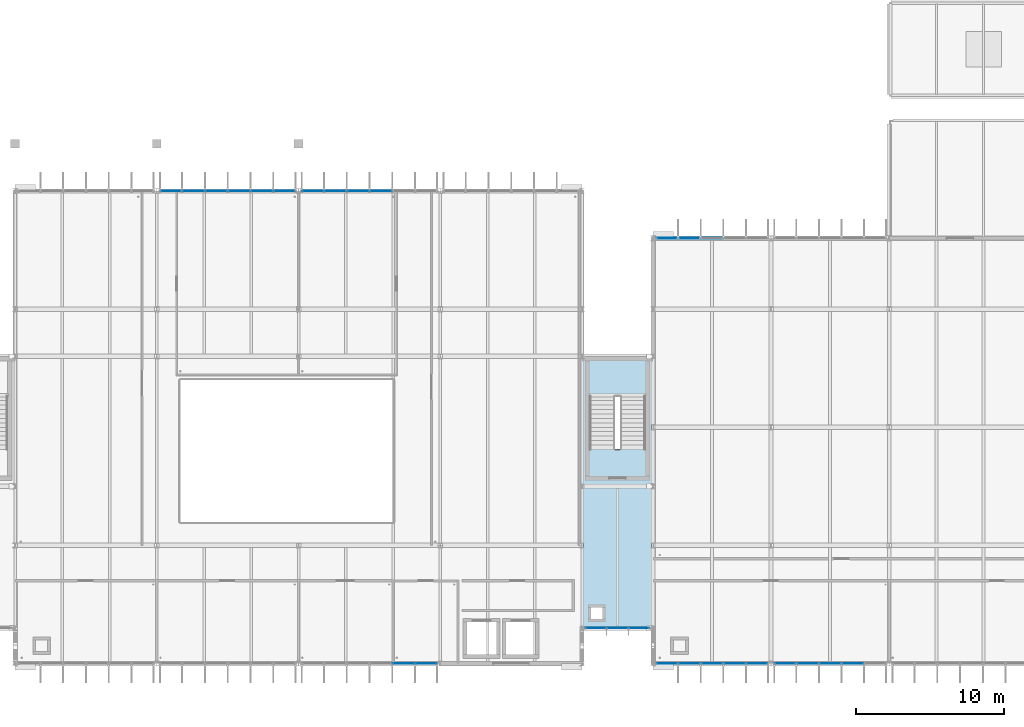
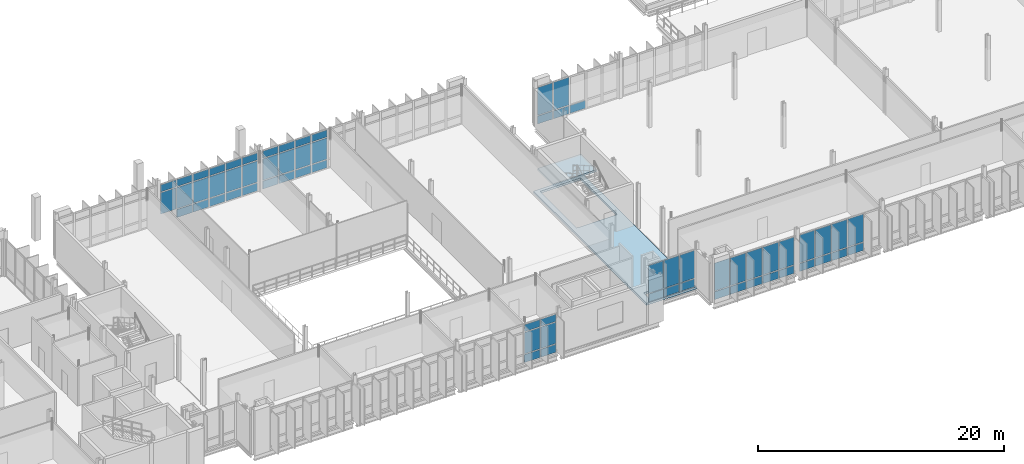
# One storey, part 52 of 110: 64 plates, 2 slabs, 8 elements without a shape of their own.
"""IFC4 building model written with IfcOpenShell, lengths in metres."""

from ifc_helpers import new_model, si_unit, direction, frame, origin, origin_2d, place, context, subcontext, project, spatial, polyline, rectangle, outline, extrude, material, layer, layer_set, type_object, element, aggregate, save


model = new_model("IFC4")

# Units and contexts
model_context = context("Model", 3, precision=1e-05, world=origin(), true_north=direction((0.0, 1.0)))
body_context = subcontext(model_context, "Body", "Model", "MODEL_VIEW")
ifc_project = project(units=[si_unit("LENGTHUNIT", "METRE"), si_unit("AREAUNIT", "SQUARE_METRE"), si_unit("VOLUMEUNIT", "CUBIC_METRE"), si_unit("PLANEANGLEUNIT", "RADIAN"), si_unit("MASSUNIT", "GRAM", prefix="KILO")], contexts=[model_context])

# Site, building, storey
site_placement = place(None, origin())
site = spatial("IfcSite", under=ifc_project, at=site_placement, CompositionType="ELEMENT")
building_placement = place(site_placement, origin())
building = spatial("IfcBuilding", under=site, at=building_placement, Name="Dunescarp Central Library", CompositionType="ELEMENT")
storey_placement = place(building_placement, frame((0.0, 0.0, 9.60009765625)))
storey = spatial("IfcBuildingStorey", under=building, at=storey_placement, Name="L02", CompositionType="ELEMENT", Elevation=9.60009765625)

# Curtain wall, plates
ifc_material_1 = material(Name="Marine-grade anodised aluminium 6063-T6", Category="aluminium")
curtain_wall_type_1 = type_object("IfcCurtainWallType", Name="ARC-CW-STICK", PredefinedType="NOTDEFINED", material=ifc_material_1)
curtain_wall_1_placement = place(storey_placement, origin())
curtain_wall_1 = element("IfcCurtainWall", 1, at=curtain_wall_1_placement, inside=storey, type_object=curtain_wall_type_1, Name="L02 curtain wall CW-V2-056", PredefinedType="NOTDEFINED")
ifc_material_2 = material(Name="Solar-control laminated double glazing", Category="glass")
ifc_layer_1 = layer(ifc_material_2, 0.028076171875)
ifc_layer_set_1 = layer_set([ifc_layer_1], Name="Solar-control laminated double glazing")
plate_type_1 = type_object("IfcPlateType", Name="ARC-PLT-GLZ28", PredefinedType="CURTAIN_PANEL", material=ifc_layer_set_1)
plate_1_placement = place(storey_placement, frame((66.234130859375, 4.800048828125, 0.93994140625), z_axis=(0.0, 0.0, 1.0), x_axis=(-1.0, 0.0, 0.0)))
plate_1 = element("IfcPlate", 2, at=plate_1_placement, type_object=plate_type_1, Name="CW-V2-056 panel 1.2", PredefinedType="CURTAIN_PANEL", context=body_context, shape_type="SweptSolid", body=[
    extrude(rectangle(XDim=1.421630859375, YDim=0.028076171875, at=origin_2d()), origin(), (0.0, 0.0, 1.0), 2.1201171875),
])
plate_2_placement = place(storey_placement, frame((66.234130859375, 4.800048828125, 3.139892578125), z_axis=(0.0, 0.0, 1.0), x_axis=(-1.0, 0.0, 0.0)))
plate_2 = element("IfcPlate", 3, at=plate_2_placement, type_object=plate_type_1, Name="CW-V2-056 panel 1.3", PredefinedType="CURTAIN_PANEL", context=body_context, shape_type="SweptSolid", body=[
    extrude(rectangle(XDim=1.421630859375, YDim=0.028076171875, at=origin_2d()), origin(), (0.0, 0.0, 1.0), 0.705078125),
])
plate_3_placement = place(storey_placement, frame((64.71240234375, 4.800048828125, 0.93994140625), z_axis=(0.0, 0.0, 1.0), x_axis=(-1.0, 0.0, 0.0)))
plate_3 = element("IfcPlate", 4, at=plate_3_placement, type_object=plate_type_1, Name="CW-V2-056 panel 2.2", PredefinedType="CURTAIN_PANEL", context=body_context, shape_type="SweptSolid", body=[
    extrude(rectangle(XDim=1.461669921875, YDim=0.028076171875, at=origin_2d()), origin(), (0.0, 0.0, 1.0), 2.1201171875),
])
plate_4_placement = place(storey_placement, frame((64.71240234375, 4.800048828125, 3.139892578125), z_axis=(0.0, 0.0, 1.0), x_axis=(-1.0, 0.0, 0.0)))
plate_4 = element("IfcPlate", 5, at=plate_4_placement, type_object=plate_type_1, Name="CW-V2-056 panel 2.3", PredefinedType="CURTAIN_PANEL", context=body_context, shape_type="SweptSolid", body=[
    extrude(rectangle(XDim=1.461669921875, YDim=0.028076171875, at=origin_2d()), origin(), (0.0, 0.0, 1.0), 0.705078125),
])

curtain_wall_2_placement = place(storey_placement, origin())
curtain_wall_2 = element("IfcCurtainWall", 6, at=curtain_wall_2_placement, inside=storey, type_object=curtain_wall_type_1, Name="L02 curtain wall CW-V2-058", PredefinedType="NOTDEFINED")
plate_5_placement = place(storey_placement, frame((48.9658203125, 36.800048828125, 0.93994140625), z_axis=(0.0, 0.0, 1.0), x_axis=(1.0, 0.0, 0.0)))
plate_5 = element("IfcPlate", 7, at=plate_5_placement, type_object=plate_type_1, Name="CW-V2-058 panel 1.2", PredefinedType="CURTAIN_PANEL", context=body_context, shape_type="SweptSolid", body=[
    extrude(rectangle(XDim=1.421630859375, YDim=0.028076171875, at=origin_2d()), origin(), (0.0, 0.0, 1.0), 2.1201171875),
])
plate_6_placement = place(storey_placement, frame((48.9658203125, 36.800048828125, 3.139892578125), z_axis=(0.0, 0.0, 1.0), x_axis=(1.0, 0.0, 0.0)))
plate_6 = element("IfcPlate", 8, at=plate_6_placement, type_object=plate_type_1, Name="CW-V2-058 panel 1.3", PredefinedType="CURTAIN_PANEL", context=body_context, shape_type="SweptSolid", body=[
    extrude(rectangle(XDim=1.421630859375, YDim=0.028076171875, at=origin_2d()), origin(), (0.0, 0.0, 1.0), 0.705078125),
])
plate_7_placement = place(storey_placement, frame((50.487548828125, 36.800048828125, 0.93994140625), z_axis=(0.0, 0.0, 1.0), x_axis=(1.0, 0.0, 0.0)))
plate_7 = element("IfcPlate", 9, at=plate_7_placement, type_object=plate_type_1, Name="CW-V2-058 panel 2.2", PredefinedType="CURTAIN_PANEL", context=body_context, shape_type="SweptSolid", body=[
    extrude(rectangle(XDim=1.461669921875, YDim=0.028076171875, at=origin_2d()), origin(), (0.0, 0.0, 1.0), 2.1201171875),
])
plate_8_placement = place(storey_placement, frame((50.487548828125, 36.800048828125, 3.139892578125), z_axis=(0.0, 0.0, 1.0), x_axis=(1.0, 0.0, 0.0)))
plate_8 = element("IfcPlate", 10, at=plate_8_placement, type_object=plate_type_1, Name="CW-V2-058 panel 2.3", PredefinedType="CURTAIN_PANEL", context=body_context, shape_type="SweptSolid", body=[
    extrude(rectangle(XDim=1.461669921875, YDim=0.028076171875, at=origin_2d()), origin(), (0.0, 0.0, 1.0), 0.705078125),
])
plate_9_placement = place(storey_placement, frame((52.029052734375, 36.800048828125, 0.93994140625), z_axis=(0.0, 0.0, 1.0), x_axis=(1.0, 0.0, 0.0)))
plate_9 = element("IfcPlate", 11, at=plate_9_placement, type_object=plate_type_1, Name="CW-V2-058 panel 3.2", PredefinedType="CURTAIN_PANEL", context=body_context, shape_type="SweptSolid", body=[
    extrude(rectangle(XDim=1.461669921875, YDim=0.028076171875, at=origin_2d()), origin(), (0.0, 0.0, 1.0), 2.1201171875),
])
plate_10_placement = place(storey_placement, frame((52.029052734375, 36.800048828125, 3.139892578125), z_axis=(0.0, 0.0, 1.0), x_axis=(1.0, 0.0, 0.0)))
plate_10 = element("IfcPlate", 12, at=plate_10_placement, type_object=plate_type_1, Name="CW-V2-058 panel 3.3", PredefinedType="CURTAIN_PANEL", context=body_context, shape_type="SweptSolid", body=[
    extrude(rectangle(XDim=1.461669921875, YDim=0.028076171875, at=origin_2d()), origin(), (0.0, 0.0, 1.0), 0.705078125),
])
plate_11_placement = place(storey_placement, frame((53.57080078125, 36.800048828125, 0.93994140625), z_axis=(0.0, 0.0, 1.0), x_axis=(1.0, 0.0, 0.0)))
plate_11 = element("IfcPlate", 13, at=plate_11_placement, type_object=plate_type_1, Name="CW-V2-058 panel 4.2", PredefinedType="CURTAIN_PANEL", context=body_context, shape_type="SweptSolid", body=[
    extrude(rectangle(XDim=1.461669921875, YDim=0.028076171875, at=origin_2d()), origin(), (0.0, 0.0, 1.0), 2.1201171875),
])
plate_12_placement = place(storey_placement, frame((53.57080078125, 36.800048828125, 3.139892578125), z_axis=(0.0, 0.0, 1.0), x_axis=(1.0, 0.0, 0.0)))
plate_12 = element("IfcPlate", 14, at=plate_12_placement, type_object=plate_type_1, Name="CW-V2-058 panel 4.3", PredefinedType="CURTAIN_PANEL", context=body_context, shape_type="SweptSolid", body=[
    extrude(rectangle(XDim=1.461669921875, YDim=0.028076171875, at=origin_2d()), origin(), (0.0, 0.0, 1.0), 0.705078125),
])
plate_13_placement = place(storey_placement, frame((55.112548828125, 36.800048828125, 0.93994140625), z_axis=(0.0, 0.0, 1.0), x_axis=(1.0, 0.0, 0.0)))
plate_13 = element("IfcPlate", 15, at=plate_13_placement, type_object=plate_type_1, Name="CW-V2-058 panel 5.2", PredefinedType="CURTAIN_PANEL", context=body_context, shape_type="SweptSolid", body=[
    extrude(rectangle(XDim=1.461669921875, YDim=0.028076171875, at=origin_2d()), origin(), (0.0, 0.0, 1.0), 2.1201171875),
])
plate_14_placement = place(storey_placement, frame((55.112548828125, 36.800048828125, 3.139892578125), z_axis=(0.0, 0.0, 1.0), x_axis=(1.0, 0.0, 0.0)))
plate_14 = element("IfcPlate", 16, at=plate_14_placement, type_object=plate_type_1, Name="CW-V2-058 panel 5.3", PredefinedType="CURTAIN_PANEL", context=body_context, shape_type="SweptSolid", body=[
    extrude(rectangle(XDim=1.461669921875, YDim=0.028076171875, at=origin_2d()), origin(), (0.0, 0.0, 1.0), 0.705078125),
])
plate_15_placement = place(storey_placement, frame((56.63427734375, 36.800048828125, 0.93994140625), z_axis=(0.0, 0.0, 1.0), x_axis=(1.0, 0.0, 0.0)))
plate_15 = element("IfcPlate", 17, at=plate_15_placement, type_object=plate_type_1, Name="CW-V2-058 panel 6.2", PredefinedType="CURTAIN_PANEL", context=body_context, shape_type="SweptSolid", body=[
    extrude(rectangle(XDim=1.421630859375, YDim=0.028076171875, at=origin_2d()), origin(), (0.0, 0.0, 1.0), 2.1201171875),
])
plate_16_placement = place(storey_placement, frame((56.63427734375, 36.800048828125, 3.139892578125), z_axis=(0.0, 0.0, 1.0), x_axis=(1.0, 0.0, 0.0)))
plate_16 = element("IfcPlate", 18, at=plate_16_placement, type_object=plate_type_1, Name="CW-V2-058 panel 6.3", PredefinedType="CURTAIN_PANEL", context=body_context, shape_type="SweptSolid", body=[
    extrude(rectangle(XDim=1.421630859375, YDim=0.028076171875, at=origin_2d()), origin(), (0.0, 0.0, 1.0), 0.705078125),
])

curtain_wall_3_placement = place(storey_placement, origin())
curtain_wall_3 = element("IfcCurtainWall", 19, at=curtain_wall_3_placement, inside=storey, type_object=curtain_wall_type_1, Name="L02 curtain wall CW-V2-059", PredefinedType="NOTDEFINED")
plate_17_placement = place(storey_placement, frame((58.56591796875, 36.800048828125, 0.93994140625), z_axis=(0.0, 0.0, 1.0), x_axis=(1.0, 0.0, 0.0)))
plate_17 = element("IfcPlate", 20, at=plate_17_placement, type_object=plate_type_1, Name="CW-V2-059 panel 1.2", PredefinedType="CURTAIN_PANEL", context=body_context, shape_type="SweptSolid", body=[
    extrude(rectangle(XDim=1.421630859375, YDim=0.028076171875, at=origin_2d()), origin(), (0.0, 0.0, 1.0), 2.1201171875),
])
plate_18_placement = place(storey_placement, frame((58.56591796875, 36.800048828125, 3.139892578125), z_axis=(0.0, 0.0, 1.0), x_axis=(1.0, 0.0, 0.0)))
plate_18 = element("IfcPlate", 21, at=plate_18_placement, type_object=plate_type_1, Name="CW-V2-059 panel 1.3", PredefinedType="CURTAIN_PANEL", context=body_context, shape_type="SweptSolid", body=[
    extrude(rectangle(XDim=1.421630859375, YDim=0.028076171875, at=origin_2d()), origin(), (0.0, 0.0, 1.0), 0.705078125),
])
plate_19_placement = place(storey_placement, frame((60.08740234375, 36.800048828125, 0.93994140625), z_axis=(0.0, 0.0, 1.0), x_axis=(1.0, 0.0, 0.0)))
plate_19 = element("IfcPlate", 22, at=plate_19_placement, type_object=plate_type_1, Name="CW-V2-059 panel 2.2", PredefinedType="CURTAIN_PANEL", context=body_context, shape_type="SweptSolid", body=[
    extrude(rectangle(XDim=1.461669921875, YDim=0.028076171875, at=origin_2d()), origin(), (0.0, 0.0, 1.0), 2.1201171875),
])
plate_20_placement = place(storey_placement, frame((60.08740234375, 36.800048828125, 3.139892578125), z_axis=(0.0, 0.0, 1.0), x_axis=(1.0, 0.0, 0.0)))
plate_20 = element("IfcPlate", 23, at=plate_20_placement, type_object=plate_type_1, Name="CW-V2-059 panel 2.3", PredefinedType="CURTAIN_PANEL", context=body_context, shape_type="SweptSolid", body=[
    extrude(rectangle(XDim=1.461669921875, YDim=0.028076171875, at=origin_2d()), origin(), (0.0, 0.0, 1.0), 0.705078125),
])
plate_21_placement = place(storey_placement, frame((61.629150390625, 36.800048828125, 0.93994140625), z_axis=(0.0, 0.0, 1.0), x_axis=(1.0, 0.0, 0.0)))
plate_21 = element("IfcPlate", 24, at=plate_21_placement, type_object=plate_type_1, Name="CW-V2-059 panel 3.2", PredefinedType="CURTAIN_PANEL", context=body_context, shape_type="SweptSolid", body=[
    extrude(rectangle(XDim=1.461669921875, YDim=0.028076171875, at=origin_2d()), origin(), (0.0, 0.0, 1.0), 2.1201171875),
])
plate_22_placement = place(storey_placement, frame((61.629150390625, 36.800048828125, 3.139892578125), z_axis=(0.0, 0.0, 1.0), x_axis=(1.0, 0.0, 0.0)))
plate_22 = element("IfcPlate", 25, at=plate_22_placement, type_object=plate_type_1, Name="CW-V2-059 panel 3.3", PredefinedType="CURTAIN_PANEL", context=body_context, shape_type="SweptSolid", body=[
    extrude(rectangle(XDim=1.461669921875, YDim=0.028076171875, at=origin_2d()), origin(), (0.0, 0.0, 1.0), 0.705078125),
])
plate_23_placement = place(storey_placement, frame((63.1708984375, 36.800048828125, 0.93994140625), z_axis=(0.0, 0.0, 1.0), x_axis=(1.0, 0.0, 0.0)))
plate_23 = element("IfcPlate", 26, at=plate_23_placement, type_object=plate_type_1, Name="CW-V2-059 panel 4.2", PredefinedType="CURTAIN_PANEL", context=body_context, shape_type="SweptSolid", body=[
    extrude(rectangle(XDim=1.461669921875, YDim=0.028076171875, at=origin_2d()), origin(), (0.0, 0.0, 1.0), 2.1201171875),
])
plate_24_placement = place(storey_placement, frame((63.1708984375, 36.800048828125, 3.139892578125), z_axis=(0.0, 0.0, 1.0), x_axis=(1.0, 0.0, 0.0)))
plate_24 = element("IfcPlate", 27, at=plate_24_placement, type_object=plate_type_1, Name="CW-V2-059 panel 4.3", PredefinedType="CURTAIN_PANEL", context=body_context, shape_type="SweptSolid", body=[
    extrude(rectangle(XDim=1.461669921875, YDim=0.028076171875, at=origin_2d()), origin(), (0.0, 0.0, 1.0), 0.705078125),
])

curtain_wall_4_placement = place(storey_placement, origin())
curtain_wall_4 = element("IfcCurtainWall", 28, at=curtain_wall_4_placement, inside=storey, type_object=curtain_wall_type_1, Name="L02 curtain wall CW-V3-090", PredefinedType="NOTDEFINED")
plate_25_placement = place(storey_placement, frame((88.639892578125, 4.800048828125, 0.93994140625), z_axis=(0.0, 0.0, 1.0), x_axis=(-1.0, 0.0, 0.0)))
plate_25 = element("IfcPlate", 29, at=plate_25_placement, type_object=plate_type_1, Name="CW-V3-090 panel 1.2", PredefinedType="CURTAIN_PANEL", context=body_context, shape_type="SweptSolid", body=[
    extrude(rectangle(XDim=1.409912109375, YDim=0.028076171875, at=origin_2d()), origin(), (0.0, 0.0, 1.0), 2.7548828125),
])
plate_26_placement = place(storey_placement, frame((87.1298828125, 4.800048828125, 0.93994140625), z_axis=(0.0, 0.0, 1.0), x_axis=(-1.0, 0.0, 0.0)))
plate_26 = element("IfcPlate", 30, at=plate_26_placement, type_object=plate_type_1, Name="CW-V3-090 panel 2.2", PredefinedType="CURTAIN_PANEL", context=body_context, shape_type="SweptSolid", body=[
    extrude(rectangle(XDim=1.449951171875, YDim=0.028076171875, at=origin_2d()), origin(), (0.0, 0.0, 1.0), 2.7548828125),
])
plate_27_placement = place(storey_placement, frame((85.60009765625, 4.800048828125, 0.93994140625), z_axis=(0.0, 0.0, 1.0), x_axis=(-1.0, 0.0, 0.0)))
plate_27 = element("IfcPlate", 31, at=plate_27_placement, type_object=plate_type_1, Name="CW-V3-090 panel 3.2", PredefinedType="CURTAIN_PANEL", context=body_context, shape_type="SweptSolid", body=[
    extrude(rectangle(XDim=1.449951171875, YDim=0.028076171875, at=origin_2d()), origin(), (0.0, 0.0, 1.0), 2.7548828125),
])
plate_28_placement = place(storey_placement, frame((84.070068359375, 4.800048828125, 0.93994140625), z_axis=(0.0, 0.0, 1.0), x_axis=(-1.0, 0.0, 0.0)))
plate_28 = element("IfcPlate", 32, at=plate_28_placement, type_object=plate_type_1, Name="CW-V3-090 panel 4.2", PredefinedType="CURTAIN_PANEL", context=body_context, shape_type="SweptSolid", body=[
    extrude(rectangle(XDim=1.449951171875, YDim=0.028076171875, at=origin_2d()), origin(), (0.0, 0.0, 1.0), 2.7548828125),
])
plate_29_placement = place(storey_placement, frame((82.56005859375, 4.800048828125, 0.93994140625), z_axis=(0.0, 0.0, 1.0), x_axis=(-1.0, 0.0, 0.0)))
plate_29 = element("IfcPlate", 33, at=plate_29_placement, type_object=plate_type_1, Name="CW-V3-090 panel 5.2", PredefinedType="CURTAIN_PANEL", context=body_context, shape_type="SweptSolid", body=[
    extrude(rectangle(XDim=1.409912109375, YDim=0.028076171875, at=origin_2d()), origin(), (0.0, 0.0, 1.0), 2.7548828125),
])

curtain_wall_5_placement = place(storey_placement, origin())
curtain_wall_5 = element("IfcCurtainWall", 34, at=curtain_wall_5_placement, inside=storey, type_object=curtain_wall_type_1, Name="L02 curtain wall CW-V3-091", PredefinedType="NOTDEFINED")
plate_30_placement = place(storey_placement, frame((95.1298828125, 4.800048828125, 0.93994140625), z_axis=(0.0, 0.0, 1.0), x_axis=(-1.0, 0.0, 0.0)))
plate_30 = element("IfcPlate", 35, at=plate_30_placement, type_object=plate_type_1, Name="CW-V3-091 panel 2.2", PredefinedType="CURTAIN_PANEL", context=body_context, shape_type="SweptSolid", body=[
    extrude(rectangle(XDim=1.449951171875, YDim=0.028076171875, at=origin_2d()), origin(), (0.0, 0.0, 1.0), 2.7548828125),
])
plate_31_placement = place(storey_placement, frame((93.60009765625, 4.800048828125, 0.93994140625), z_axis=(0.0, 0.0, 1.0), x_axis=(-1.0, 0.0, 0.0)))
plate_31 = element("IfcPlate", 36, at=plate_31_placement, type_object=plate_type_1, Name="CW-V3-091 panel 3.2", PredefinedType="CURTAIN_PANEL", context=body_context, shape_type="SweptSolid", body=[
    extrude(rectangle(XDim=1.449951171875, YDim=0.028076171875, at=origin_2d()), origin(), (0.0, 0.0, 1.0), 2.7548828125),
])
plate_32_placement = place(storey_placement, frame((92.070068359375, 4.800048828125, 0.93994140625), z_axis=(0.0, 0.0, 1.0), x_axis=(-1.0, 0.0, 0.0)))
plate_32 = element("IfcPlate", 37, at=plate_32_placement, type_object=plate_type_1, Name="CW-V3-091 panel 4.2", PredefinedType="CURTAIN_PANEL", context=body_context, shape_type="SweptSolid", body=[
    extrude(rectangle(XDim=1.449951171875, YDim=0.028076171875, at=origin_2d()), origin(), (0.0, 0.0, 1.0), 2.7548828125),
])
plate_33_placement = place(storey_placement, frame((90.56005859375, 4.800048828125, 0.93994140625), z_axis=(0.0, 0.0, 1.0), x_axis=(-1.0, 0.0, 0.0)))
plate_33 = element("IfcPlate", 38, at=plate_33_placement, type_object=plate_type_1, Name="CW-V3-091 panel 5.2", PredefinedType="CURTAIN_PANEL", context=body_context, shape_type="SweptSolid", body=[
    extrude(rectangle(XDim=1.409912109375, YDim=0.028076171875, at=origin_2d()), origin(), (0.0, 0.0, 1.0), 2.7548828125),
])

curtain_wall_6_placement = place(storey_placement, origin())
curtain_wall_6 = element("IfcCurtainWall", 39, at=curtain_wall_6_placement, inside=storey, type_object=curtain_wall_type_1, Name="L02 curtain wall CW-V3-094", PredefinedType="NOTDEFINED")
plate_34_placement = place(storey_placement, frame((82.56005859375, 33.60009765625, 0.93994140625), z_axis=(0.0, 0.0, 1.0), x_axis=(1.0, 0.0, 0.0)))
plate_34 = element("IfcPlate", 40, at=plate_34_placement, type_object=plate_type_1, Name="CW-V3-094 panel 1.2", PredefinedType="CURTAIN_PANEL", context=body_context, shape_type="SweptSolid", body=[
    extrude(rectangle(XDim=1.409912109375, YDim=0.028076171875, at=origin_2d()), origin(), (0.0, 0.0, 1.0), 2.7548828125),
])
plate_35_placement = place(storey_placement, frame((84.070068359375, 33.60009765625, 0.93994140625), z_axis=(0.0, 0.0, 1.0), x_axis=(1.0, 0.0, 0.0)))
plate_35 = element("IfcPlate", 41, at=plate_35_placement, type_object=plate_type_1, Name="CW-V3-094 panel 2.2", PredefinedType="CURTAIN_PANEL", context=body_context, shape_type="SweptSolid", body=[
    extrude(rectangle(XDim=1.449951171875, YDim=0.028076171875, at=origin_2d()), origin(), (0.0, 0.0, 1.0), 2.7548828125),
])

curtain_wall_type_2 = type_object("IfcCurtainWallType", Name="ARC-CW-LINK", PredefinedType="USERDEFINED", material=ifc_material_1)
curtain_wall_7_placement = place(storey_placement, origin())
curtain_wall_7 = element("IfcCurtainWall", 42, at=curtain_wall_7_placement, inside=storey, type_object=curtain_wall_type_2, Name="L02 curtain wall CW-GL2-S-L02", ObjectType="GLAZED_LINK_WALL", PredefinedType="USERDEFINED")
plate_36_placement = place(storey_placement, frame((80.663330078125, 7.199951171875, 0.93994140625), z_axis=(0.0, 0.0, 1.0), x_axis=(-1.0, 0.0, 0.0)))
plate_36 = element("IfcPlate", 43, at=plate_36_placement, type_object=plate_type_1, Name="CW-GL2-S-L02 panel 1.2", PredefinedType="CURTAIN_PANEL", context=body_context, shape_type="SweptSolid", body=[
    extrude(rectangle(XDim=1.36328125, YDim=0.028076171875, at=origin_2d()), origin(), (0.0, 0.0, 1.0), 2.7548828125),
])
plate_37_placement = place(storey_placement, frame((79.199951171875, 7.199951171875, 0.93994140625), z_axis=(0.0, 0.0, 1.0), x_axis=(-1.0, 0.0, 0.0)))
plate_37 = element("IfcPlate", 44, at=plate_37_placement, type_object=plate_type_1, Name="CW-GL2-S-L02 panel 2.2", PredefinedType="CURTAIN_PANEL", context=body_context, shape_type="SweptSolid", body=[
    extrude(rectangle(XDim=1.4033203125, YDim=0.028076171875, at=origin_2d()), origin(), (0.0, 0.0, 1.0), 2.7548828125),
])
plate_38_placement = place(storey_placement, frame((77.736572265625, 7.199951171875, 0.93994140625), z_axis=(0.0, 0.0, 1.0), x_axis=(-1.0, 0.0, 0.0)))
plate_38 = element("IfcPlate", 45, at=plate_38_placement, type_object=plate_type_1, Name="CW-GL2-S-L02 panel 3.2", PredefinedType="CURTAIN_PANEL", context=body_context, shape_type="SweptSolid", body=[
    extrude(rectangle(XDim=1.36328125, YDim=0.028076171875, at=origin_2d()), origin(), (0.0, 0.0, 1.0), 2.7548828125),
])

# Plate
ifc_layer_2 = layer(ifc_material_1, 0.050048828125)
ifc_layer_set_2 = layer_set([ifc_layer_2], Name="Marine-grade anodised aluminium 6063-T6")
plate_type_2 = type_object("IfcPlateType", Name="ARC-PLT-SPN50", PredefinedType="SHEET", material=ifc_layer_set_2)
plate_39_placement = place(storey_placement, frame((66.234130859375, 4.800048828125, 0.080078125), z_axis=(0.0, 0.0, 1.0), x_axis=(-1.0, 0.0, 0.0)))
plate_39 = element("IfcPlate", 46, at=plate_39_placement, type_object=plate_type_2, Name="CW-V2-056 panel 1.1", PredefinedType="SHEET", context=body_context, shape_type="SweptSolid", body=[
    extrude(rectangle(XDim=1.421630859375, YDim=0.050048828125, at=origin_2d()), origin(), (0.0, 0.0, 1.0), 0.780029296875),
])

plate_40_placement = place(storey_placement, frame((64.71240234375, 4.800048828125, 0.080078125), z_axis=(0.0, 0.0, 1.0), x_axis=(-1.0, 0.0, 0.0)))
plate_40 = element("IfcPlate", 47, at=plate_40_placement, type_object=plate_type_2, Name="CW-V2-056 panel 2.1", PredefinedType="SHEET", context=body_context, shape_type="SweptSolid", body=[
    extrude(rectangle(XDim=1.461669921875, YDim=0.050048828125, at=origin_2d()), origin(), (0.0, 0.0, 1.0), 0.780029296875),
])

aggregate(curtain_wall_1, [plate_39, plate_1, plate_2, plate_40, plate_3, plate_4])

plate_41_placement = place(storey_placement, frame((50.487548828125, 36.800048828125, 0.080078125), z_axis=(0.0, 0.0, 1.0), x_axis=(1.0, 0.0, 0.0)))
plate_41 = element("IfcPlate", 48, at=plate_41_placement, type_object=plate_type_2, Name="CW-V2-058 panel 2.1", PredefinedType="SHEET", context=body_context, shape_type="SweptSolid", body=[
    extrude(rectangle(XDim=1.461669921875, YDim=0.050048828125, at=origin_2d()), origin(), (0.0, 0.0, 1.0), 0.780029296875),
])

plate_42_placement = place(storey_placement, frame((52.029052734375, 36.800048828125, 0.080078125), z_axis=(0.0, 0.0, 1.0), x_axis=(1.0, 0.0, 0.0)))
plate_42 = element("IfcPlate", 49, at=plate_42_placement, type_object=plate_type_2, Name="CW-V2-058 panel 3.1", PredefinedType="SHEET", context=body_context, shape_type="SweptSolid", body=[
    extrude(rectangle(XDim=1.461669921875, YDim=0.050048828125, at=origin_2d()), origin(), (0.0, 0.0, 1.0), 0.780029296875),
])

plate_43_placement = place(storey_placement, frame((53.57080078125, 36.800048828125, 0.080078125), z_axis=(0.0, 0.0, 1.0), x_axis=(1.0, 0.0, 0.0)))
plate_43 = element("IfcPlate", 50, at=plate_43_placement, type_object=plate_type_2, Name="CW-V2-058 panel 4.1", PredefinedType="SHEET", context=body_context, shape_type="SweptSolid", body=[
    extrude(rectangle(XDim=1.461669921875, YDim=0.050048828125, at=origin_2d()), origin(), (0.0, 0.0, 1.0), 0.780029296875),
])

plate_44_placement = place(storey_placement, frame((55.112548828125, 36.800048828125, 0.080078125), z_axis=(0.0, 0.0, 1.0), x_axis=(1.0, 0.0, 0.0)))
plate_44 = element("IfcPlate", 51, at=plate_44_placement, type_object=plate_type_2, Name="CW-V2-058 panel 5.1", PredefinedType="SHEET", context=body_context, shape_type="SweptSolid", body=[
    extrude(rectangle(XDim=1.461669921875, YDim=0.050048828125, at=origin_2d()), origin(), (0.0, 0.0, 1.0), 0.780029296875),
])

plate_45_placement = place(storey_placement, frame((56.63427734375, 36.800048828125, 0.080078125), z_axis=(0.0, 0.0, 1.0), x_axis=(1.0, 0.0, 0.0)))
plate_45 = element("IfcPlate", 52, at=plate_45_placement, type_object=plate_type_2, Name="CW-V2-058 panel 6.1", PredefinedType="SHEET", context=body_context, shape_type="SweptSolid", body=[
    extrude(rectangle(XDim=1.421630859375, YDim=0.050048828125, at=origin_2d()), origin(), (0.0, 0.0, 1.0), 0.780029296875),
])

aggregate(curtain_wall_2, [plate_5, plate_6, plate_41, plate_7, plate_8, plate_42, plate_9, plate_10, plate_43, plate_11, plate_12, plate_44, plate_13, plate_14, plate_45, plate_15, plate_16])

plate_46_placement = place(storey_placement, frame((58.56591796875, 36.800048828125, 0.080078125), z_axis=(0.0, 0.0, 1.0), x_axis=(1.0, 0.0, 0.0)))
plate_46 = element("IfcPlate", 53, at=plate_46_placement, type_object=plate_type_2, Name="CW-V2-059 panel 1.1", PredefinedType="SHEET", context=body_context, shape_type="SweptSolid", body=[
    extrude(rectangle(XDim=1.421630859375, YDim=0.050048828125, at=origin_2d()), origin(), (0.0, 0.0, 1.0), 0.780029296875),
])

plate_47_placement = place(storey_placement, frame((60.08740234375, 36.800048828125, 0.080078125), z_axis=(0.0, 0.0, 1.0), x_axis=(1.0, 0.0, 0.0)))
plate_47 = element("IfcPlate", 54, at=plate_47_placement, type_object=plate_type_2, Name="CW-V2-059 panel 2.1", PredefinedType="SHEET", context=body_context, shape_type="SweptSolid", body=[
    extrude(rectangle(XDim=1.461669921875, YDim=0.050048828125, at=origin_2d()), origin(), (0.0, 0.0, 1.0), 0.780029296875),
])

plate_48_placement = place(storey_placement, frame((61.629150390625, 36.800048828125, 0.080078125), z_axis=(0.0, 0.0, 1.0), x_axis=(1.0, 0.0, 0.0)))
plate_48 = element("IfcPlate", 55, at=plate_48_placement, type_object=plate_type_2, Name="CW-V2-059 panel 3.1", PredefinedType="SHEET", context=body_context, shape_type="SweptSolid", body=[
    extrude(rectangle(XDim=1.461669921875, YDim=0.050048828125, at=origin_2d()), origin(), (0.0, 0.0, 1.0), 0.780029296875),
])

plate_49_placement = place(storey_placement, frame((63.1708984375, 36.800048828125, 0.080078125), z_axis=(0.0, 0.0, 1.0), x_axis=(1.0, 0.0, 0.0)))
plate_49 = element("IfcPlate", 56, at=plate_49_placement, type_object=plate_type_2, Name="CW-V2-059 panel 4.1", PredefinedType="SHEET", context=body_context, shape_type="SweptSolid", body=[
    extrude(rectangle(XDim=1.461669921875, YDim=0.050048828125, at=origin_2d()), origin(), (0.0, 0.0, 1.0), 0.780029296875),
])

aggregate(curtain_wall_3, [plate_46, plate_17, plate_18, plate_47, plate_19, plate_20, plate_48, plate_21, plate_22, plate_49, plate_23, plate_24])

plate_50_placement = place(storey_placement, frame((88.639892578125, 4.800048828125, 0.080078125), z_axis=(0.0, 0.0, 1.0), x_axis=(-1.0, 0.0, 0.0)))
plate_50 = element("IfcPlate", 57, at=plate_50_placement, type_object=plate_type_2, Name="CW-V3-090 panel 1.1", PredefinedType="SHEET", context=body_context, shape_type="SweptSolid", body=[
    extrude(rectangle(XDim=1.409912109375, YDim=0.050048828125, at=origin_2d()), origin(), (0.0, 0.0, 1.0), 0.780029296875),
])

plate_51_placement = place(storey_placement, frame((87.1298828125, 4.800048828125, 0.080078125), z_axis=(0.0, 0.0, 1.0), x_axis=(-1.0, 0.0, 0.0)))
plate_51 = element("IfcPlate", 58, at=plate_51_placement, type_object=plate_type_2, Name="CW-V3-090 panel 2.1", PredefinedType="SHEET", context=body_context, shape_type="SweptSolid", body=[
    extrude(rectangle(XDim=1.449951171875, YDim=0.050048828125, at=origin_2d()), origin(), (0.0, 0.0, 1.0), 0.780029296875),
])

plate_52_placement = place(storey_placement, frame((85.60009765625, 4.800048828125, 0.080078125), z_axis=(0.0, 0.0, 1.0), x_axis=(-1.0, 0.0, 0.0)))
plate_52 = element("IfcPlate", 59, at=plate_52_placement, type_object=plate_type_2, Name="CW-V3-090 panel 3.1", PredefinedType="SHEET", context=body_context, shape_type="SweptSolid", body=[
    extrude(rectangle(XDim=1.449951171875, YDim=0.050048828125, at=origin_2d()), origin(), (0.0, 0.0, 1.0), 0.780029296875),
])

plate_53_placement = place(storey_placement, frame((84.070068359375, 4.800048828125, 0.080078125), z_axis=(0.0, 0.0, 1.0), x_axis=(-1.0, 0.0, 0.0)))
plate_53 = element("IfcPlate", 60, at=plate_53_placement, type_object=plate_type_2, Name="CW-V3-090 panel 4.1", PredefinedType="SHEET", context=body_context, shape_type="SweptSolid", body=[
    extrude(rectangle(XDim=1.449951171875, YDim=0.050048828125, at=origin_2d()), origin(), (0.0, 0.0, 1.0), 0.780029296875),
])

plate_54_placement = place(storey_placement, frame((82.56005859375, 4.800048828125, 0.080078125), z_axis=(0.0, 0.0, 1.0), x_axis=(-1.0, 0.0, 0.0)))
plate_54 = element("IfcPlate", 61, at=plate_54_placement, type_object=plate_type_2, Name="CW-V3-090 panel 5.1", PredefinedType="SHEET", context=body_context, shape_type="SweptSolid", body=[
    extrude(rectangle(XDim=1.409912109375, YDim=0.050048828125, at=origin_2d()), origin(), (0.0, 0.0, 1.0), 0.780029296875),
])

aggregate(curtain_wall_4, [plate_50, plate_25, plate_51, plate_26, plate_52, plate_27, plate_53, plate_28, plate_54, plate_29])

plate_55_placement = place(storey_placement, frame((95.1298828125, 4.800048828125, 0.080078125), z_axis=(0.0, 0.0, 1.0), x_axis=(-1.0, 0.0, 0.0)))
plate_55 = element("IfcPlate", 62, at=plate_55_placement, type_object=plate_type_2, Name="CW-V3-091 panel 2.1", PredefinedType="SHEET", context=body_context, shape_type="SweptSolid", body=[
    extrude(rectangle(XDim=1.449951171875, YDim=0.050048828125, at=origin_2d()), origin(), (0.0, 0.0, 1.0), 0.780029296875),
])

plate_56_placement = place(storey_placement, frame((93.60009765625, 4.800048828125, 0.080078125), z_axis=(0.0, 0.0, 1.0), x_axis=(-1.0, 0.0, 0.0)))
plate_56 = element("IfcPlate", 63, at=plate_56_placement, type_object=plate_type_2, Name="CW-V3-091 panel 3.1", PredefinedType="SHEET", context=body_context, shape_type="SweptSolid", body=[
    extrude(rectangle(XDim=1.449951171875, YDim=0.050048828125, at=origin_2d()), origin(), (0.0, 0.0, 1.0), 0.780029296875),
])

plate_57_placement = place(storey_placement, frame((92.070068359375, 4.800048828125, 0.080078125), z_axis=(0.0, 0.0, 1.0), x_axis=(-1.0, 0.0, 0.0)))
plate_57 = element("IfcPlate", 64, at=plate_57_placement, type_object=plate_type_2, Name="CW-V3-091 panel 4.1", PredefinedType="SHEET", context=body_context, shape_type="SweptSolid", body=[
    extrude(rectangle(XDim=1.449951171875, YDim=0.050048828125, at=origin_2d()), origin(), (0.0, 0.0, 1.0), 0.780029296875),
])

plate_58_placement = place(storey_placement, frame((90.56005859375, 4.800048828125, 0.080078125), z_axis=(0.0, 0.0, 1.0), x_axis=(-1.0, 0.0, 0.0)))
plate_58 = element("IfcPlate", 65, at=plate_58_placement, type_object=plate_type_2, Name="CW-V3-091 panel 5.1", PredefinedType="SHEET", context=body_context, shape_type="SweptSolid", body=[
    extrude(rectangle(XDim=1.409912109375, YDim=0.050048828125, at=origin_2d()), origin(), (0.0, 0.0, 1.0), 0.780029296875),
])

aggregate(curtain_wall_5, [plate_55, plate_30, plate_56, plate_31, plate_57, plate_32, plate_58, plate_33])

plate_59_placement = place(storey_placement, frame((82.56005859375, 33.60009765625, 0.080078125), z_axis=(0.0, 0.0, 1.0), x_axis=(1.0, 0.0, 0.0)))
plate_59 = element("IfcPlate", 66, at=plate_59_placement, type_object=plate_type_2, Name="CW-V3-094 panel 1.1", PredefinedType="SHEET", context=body_context, shape_type="SweptSolid", body=[
    extrude(rectangle(XDim=1.409912109375, YDim=0.050048828125, at=origin_2d()), origin(), (0.0, 0.0, 1.0), 0.780029296875),
])

plate_60_placement = place(storey_placement, frame((84.070068359375, 33.60009765625, 0.080078125), z_axis=(0.0, 0.0, 1.0), x_axis=(1.0, 0.0, 0.0)))
plate_60 = element("IfcPlate", 67, at=plate_60_placement, type_object=plate_type_2, Name="CW-V3-094 panel 2.1", PredefinedType="SHEET", context=body_context, shape_type="SweptSolid", body=[
    extrude(rectangle(XDim=1.449951171875, YDim=0.050048828125, at=origin_2d()), origin(), (0.0, 0.0, 1.0), 0.780029296875),
])

plate_61_placement = place(storey_placement, frame((85.60009765625, 33.60009765625, 0.080078125), z_axis=(0.0, 0.0, 1.0), x_axis=(1.0, 0.0, 0.0)))
plate_61 = element("IfcPlate", 68, at=plate_61_placement, type_object=plate_type_2, Name="CW-V3-094 panel 3.1", PredefinedType="SHEET", context=body_context, shape_type="SweptSolid", body=[
    extrude(rectangle(XDim=1.449951171875, YDim=0.050048828125, at=origin_2d()), origin(), (0.0, 0.0, 1.0), 0.780029296875),
])

aggregate(curtain_wall_6, [plate_59, plate_34, plate_60, plate_35, plate_61])

plate_62_placement = place(storey_placement, frame((80.663330078125, 7.199951171875, 0.080078125), z_axis=(0.0, 0.0, 1.0), x_axis=(-1.0, 0.0, 0.0)))
plate_62 = element("IfcPlate", 69, at=plate_62_placement, type_object=plate_type_2, Name="CW-GL2-S-L02 panel 1.1", PredefinedType="SHEET", context=body_context, shape_type="SweptSolid", body=[
    extrude(rectangle(XDim=1.36328125, YDim=0.050048828125, at=origin_2d()), origin(), (0.0, 0.0, 1.0), 0.780029296875),
])

plate_63_placement = place(storey_placement, frame((79.199951171875, 7.199951171875, 0.080078125), z_axis=(0.0, 0.0, 1.0), x_axis=(-1.0, 0.0, 0.0)))
plate_63 = element("IfcPlate", 70, at=plate_63_placement, type_object=plate_type_2, Name="CW-GL2-S-L02 panel 2.1", PredefinedType="SHEET", context=body_context, shape_type="SweptSolid", body=[
    extrude(rectangle(XDim=1.4033203125, YDim=0.050048828125, at=origin_2d()), origin(), (0.0, 0.0, 1.0), 0.780029296875),
])

plate_64_placement = place(storey_placement, frame((77.736572265625, 7.199951171875, 0.080078125), z_axis=(0.0, 0.0, 1.0), x_axis=(-1.0, 0.0, 0.0)))
plate_64 = element("IfcPlate", 71, at=plate_64_placement, type_object=plate_type_2, Name="CW-GL2-S-L02 panel 3.1", PredefinedType="SHEET", context=body_context, shape_type="SweptSolid", body=[
    extrude(rectangle(XDim=1.36328125, YDim=0.050048828125, at=origin_2d()), origin(), (0.0, 0.0, 1.0), 0.780029296875),
])

aggregate(curtain_wall_7, [plate_62, plate_36, plate_63, plate_37, plate_64, plate_38])

# Stair, slab
ifc_material_3 = material(Name="Concrete C35/45", Category="concrete")
stair_type = type_object("IfcStairType", Name="ARC-STR-TYP", PredefinedType="HALF_TURN_STAIR", material=ifc_material_3)
stair_placement = place(storey_placement, origin())
stair = element("IfcStair", 72, at=stair_placement, inside=storey, type_object=stair_type, Name="L02 Protected escape stair ST-3", PredefinedType="HALF_TURN_STAIR")
ifc_layer_3 = layer(ifc_material_3, 0.199951171875)
ifc_layer_set_3 = layer_set([ifc_layer_3], Name="Concrete C35/45")
slab_type_1 = type_object("IfcSlabType", Name="STR-SLB-LAND200", PredefinedType="LANDING", material=ifc_layer_set_3)
slab_1_placement = place(storey_placement, frame((0.0, 0.0, 2.0498046875)))
slab_1 = element("IfcSlab", 73, at=slab_1_placement, type_object=slab_type_1, Name="ST-3 landing 1", PredefinedType="LANDING", context=body_context, shape_type="SweptSolid", body=[
    extrude(outline(polyline([(77.14990234375, 22.885009765625), (81.25, 22.885009765625), (81.25, 25.449951171875), (77.14990234375, 25.449951171875), (77.14990234375, 22.885009765625)])), origin(), (0.0, 0.0, 1.0), 0.2001953125),
])
aggregate(stair, [slab_1])

# Slab
ifc_layer_4 = layer(ifc_material_3, 0.2099609375)
ifc_layer_set_4 = layer_set([ifc_layer_4], Name="Concrete C35/45")
slab_type_2 = type_object("IfcSlabType", Name="STR-SLB-READ210", PredefinedType="FLOOR", material=ifc_layer_set_4)
slab_2_placement = place(storey_placement, frame((0.0, 0.0, -0.210205078125)))
element("IfcSlab", 74, at=slab_2_placement, inside=storey, type_object=slab_type_2, Name="L02 GL2 slab", PredefinedType="FLOOR", context=body_context, shape_type="SweptSolid", body=[
    extrude(outline(polyline([(76.85009765625, 7.199951171875), (81.550048828125, 7.199951171875), (81.550048828125, 25.60009765625), (76.85009765625, 25.60009765625), (76.85009765625, 7.199951171875)]), holes=[polyline([(77.300048828125, 19.31494140625), (81.10009765625, 19.31494140625), (81.10009765625, 25.300048828125), (77.300048828125, 25.300048828125), (77.300048828125, 19.31494140625)]), polyline([(77.39990234375, 7.800048828125), (78.199951171875, 7.800048828125), (78.199951171875, 8.60009765625), (77.39990234375, 8.60009765625), (77.39990234375, 7.800048828125)])]), origin(), (0.0, 0.0, 1.0), 0.210205078125),
])

save(model, "model.ifc")
